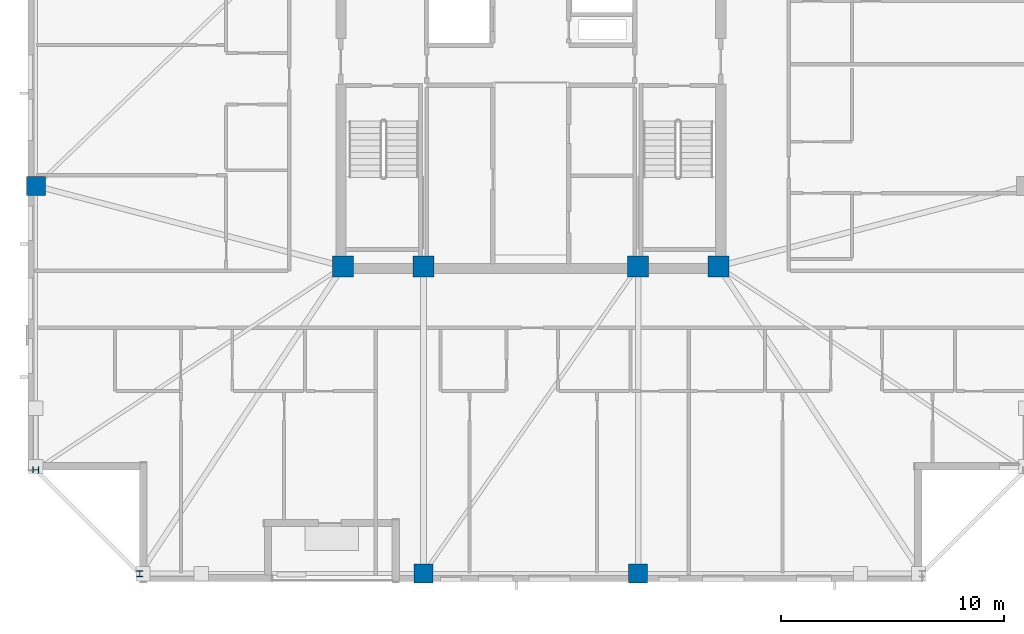
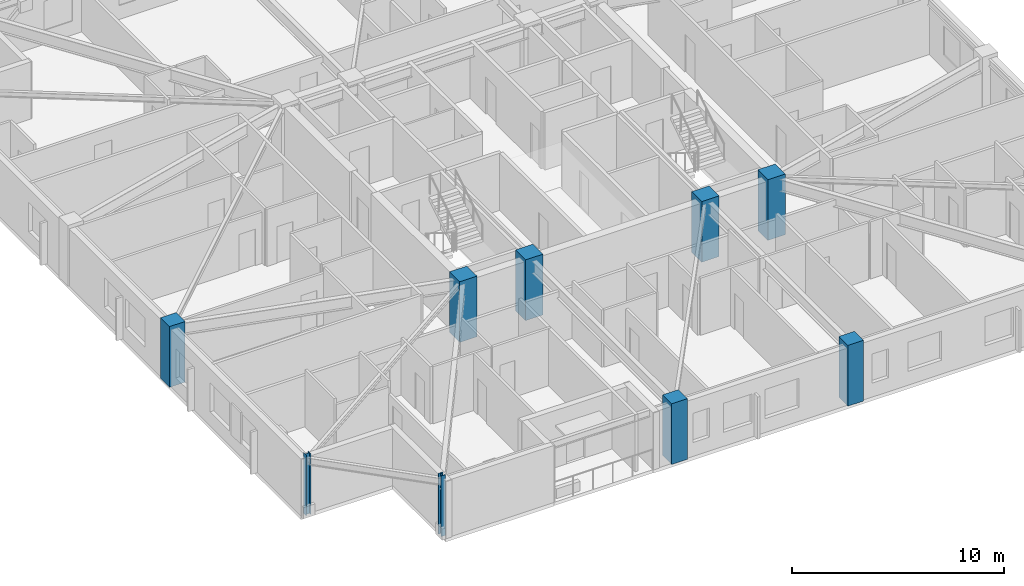
# One storey, part 1 of 17: 9 columns.
"""IFC4 building model written with IfcOpenShell, lengths in metres."""

from ifc_helpers import new_model, si_unit, direction, frame, origin, origin_2d, place, context, subcontext, project, spatial, rectangle, i_section, extrude, material, material_profile, profile_set, type_object, element, save


model = new_model("IFC4")

# Units and contexts
model_context = context("Model", 3, precision=1e-05, world=origin(), true_north=direction((0.0, 1.0)))
body_context = subcontext(model_context, "Body", "Model", "MODEL_VIEW")
ifc_project = project(units=[si_unit("LENGTHUNIT", "METRE"), si_unit("AREAUNIT", "SQUARE_METRE"), si_unit("VOLUMEUNIT", "CUBIC_METRE"), si_unit("PLANEANGLEUNIT", "RADIAN"), si_unit("MASSUNIT", "GRAM", prefix="KILO")], contexts=[model_context])

# Site, building, storey
site_placement = place(None, origin())
site = spatial("IfcSite", under=ifc_project, at=site_placement, CompositionType="ELEMENT")
building_placement = place(site_placement, origin())
building = spatial("IfcBuilding", under=site, at=building_placement, Name="Cairnveth Concourse Tower", CompositionType="ELEMENT")
storey_placement = place(building_placement, frame((0.0, 0.0, 262.0)))
storey = spatial("IfcBuildingStorey", under=building, at=storey_placement, Name="L72", CompositionType="ELEMENT", Elevation=262.0)

# Columns
ifc_material_1 = material(Name="Concrete N65 (65 MPa)", Category="concrete")
ifc_material_profile_1 = material_profile(ifc_material_1, rectangle(XDim=0.949951171875, YDim=0.949951171875, at=origin_2d()), Name="RC-COL-950x950")
ifc_profile_set_1 = profile_set([ifc_material_profile_1], Name="Concrete N65 (65 MPa)")
column_type_1 = type_object("IfcColumnType", Name="CORE COLUMN 950X950", PredefinedType="COLUMN", material=ifc_profile_set_1)
for number, where, z_axis, x_axis, name in (
    (1, (43.60009765625, 30.60009765625, 0.0), (0.0, 0.0, 1.0), (1.0, 0.0, 0.0), "Column CC1 L72"),
    (2, (47.199951171875, 30.60009765625, 0.0), (0.0, 0.0, 1.0), (1.0, 0.0, 0.0), "Column CC2 L72"),
    (3, (56.800048828125, 30.60009765625, 0.0), (0.0, 0.0, 1.0), (1.0, 0.0, 0.0), "Column CC3 L72"),
    (4, (60.39990234375, 30.60009765625, 0.0), (0.0, 0.0, 1.0), (1.0, 0.0, 0.0), "Column CC4 L72"),
):
    element("IfcColumn", number, at=place(storey_placement, frame(where, z_axis=z_axis, x_axis=x_axis)), inside=storey, type_object=column_type_1, Name=name, PredefinedType="COLUMN", context=body_context, shape_type="SweptSolid", body=[
        extrude(rectangle(XDim=0.949951171875, YDim=0.949951171875, at=origin_2d()), origin(), (0.0, 0.0, 1.0), 3.5),
    ])
ifc_material_profile_2 = material_profile(ifc_material_1, rectangle(XDim=0.85009765625, YDim=0.85009765625, at=origin_2d()), Name="RC-COL-850x850")
ifc_profile_set_2 = profile_set([ifc_material_profile_2], Name="Concrete N65 (65 MPa)")
column_type_2 = type_object("IfcColumnType", Name="PERIMETER PIER COLUMN 850X850", PredefinedType="COLUMN", material=ifc_profile_set_2)
for number, where, z_axis, x_axis, name in (
    (5, (47.199951171875, 16.85009765625, 0.0), (0.0, 0.0, 1.0), (1.0, 0.0, 0.0), "Column P-S2 L72"),
    (6, (56.800048828125, 16.85009765625, 0.0), (0.0, 0.0, 1.0), (1.0, 0.0, 0.0), "Column P-S3 L72"),
    (7, (29.85009765625, 34.199951171875, 0.0), (0.0, 0.0, 1.0), (0.0, 1.0, 0.0), "Column P-W3 L72"),
):
    element("IfcColumn", number, at=place(storey_placement, frame(where, z_axis=z_axis, x_axis=x_axis)), inside=storey, type_object=column_type_2, Name=name, PredefinedType="COLUMN", context=body_context, shape_type="SweptSolid", body=[
        extrude(rectangle(XDim=0.85009765625, YDim=0.85009765625, at=origin_2d()), origin(), (0.0, 0.0, 1.0), 3.5),
    ])
ifc_material_2 = material(Name="Steel Grade 350", Category="steel")
ifc_material_profile_3 = material_profile(ifc_material_2, i_section(OverallWidth=0.256103515625, OverallDepth=0.260009765625, WebThickness=0.010498046875, FlangeThickness=0.017333984375, FilletRadius=0.012939453125, at=origin_2d()), Name="250UC89.5")
ifc_profile_set_3 = profile_set([ifc_material_profile_3], Name="Steel Grade 350")
column_type_3 = type_object("IfcColumnType", Name="UNIVERSAL STEEL COLUMN 250UC89.5", PredefinedType="COLUMN", material=ifc_profile_set_3)
for number, where, z_axis, x_axis, name in (
    (8, (34.5, 16.85009765625, 0.0), (0.0, 0.0, 1.0), (1.0, 0.0, 0.0), "Column P-S1 L72"),
    (9, (29.85009765625, 21.5, 0.0), (0.0, 0.0, 1.0), (0.0, 1.0, 0.0), "Column P-W4 L72"),
):
    element("IfcColumn", number, at=place(storey_placement, frame(where, z_axis=z_axis, x_axis=x_axis)), inside=storey, type_object=column_type_3, Name=name, PredefinedType="COLUMN", context=body_context, shape_type="SweptSolid", body=[
        extrude(i_section(OverallWidth=0.256103515625, OverallDepth=0.260009765625, WebThickness=0.010498046875, FlangeThickness=0.017333984375, FilletRadius=0.012939453125, at=origin_2d()), origin(), (0.0, 0.0, 1.0), 3.5),
    ])

save(model, "model.ifc")
